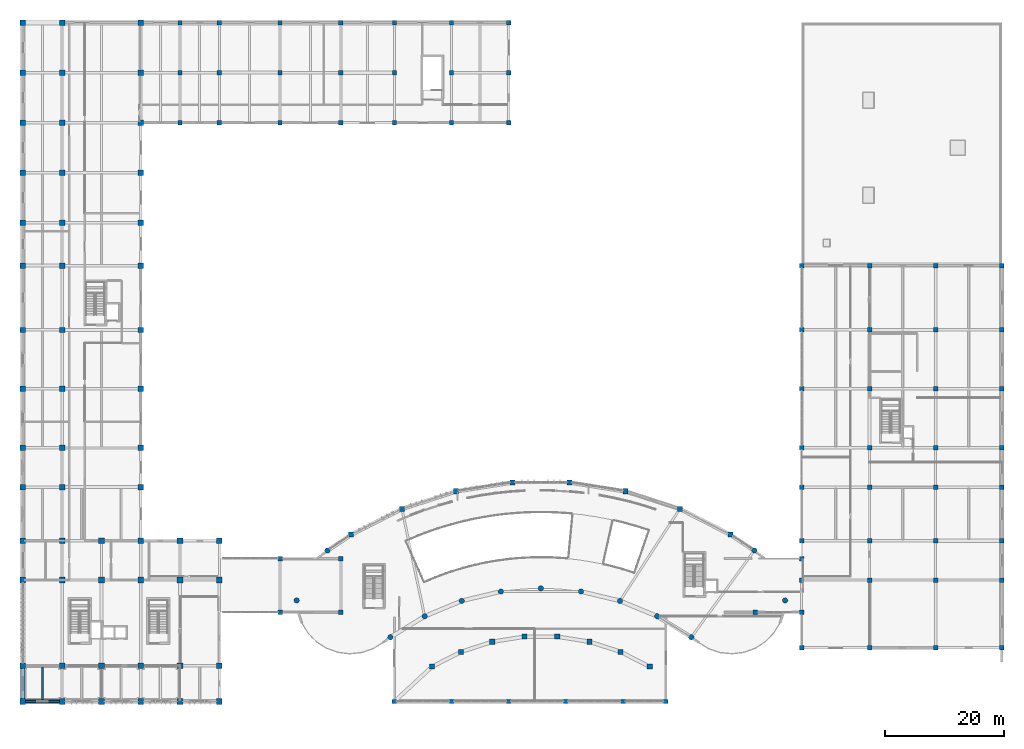
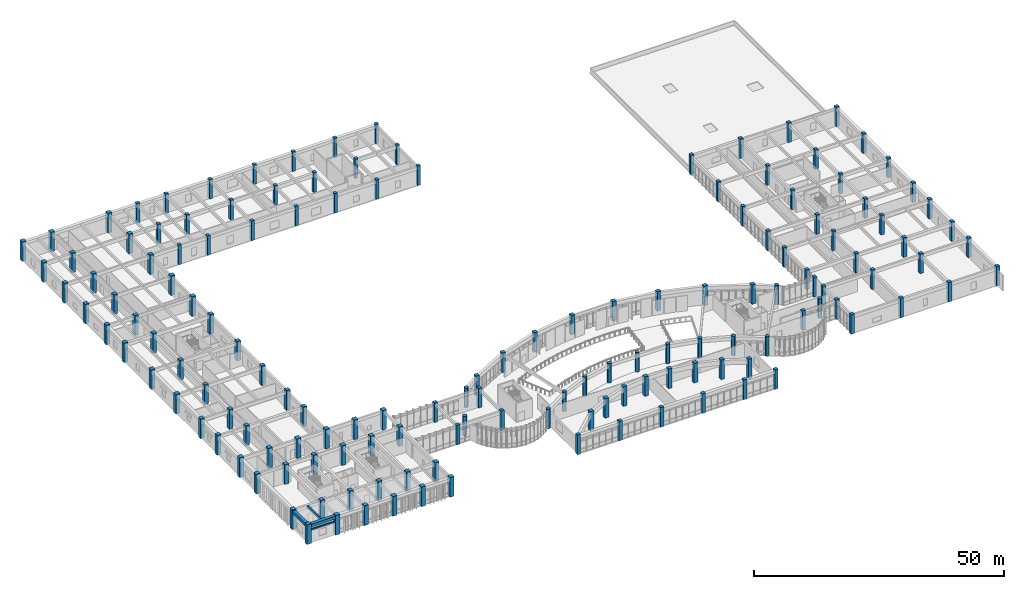
# One storey, part 1 of 68: 149 columns, 4 beams.
"""IFC4 building model written with IfcOpenShell, lengths in metres."""

import ifcopenshell
import ifcopenshell.guid

model = None  # the IFC model being written
_history = None  # IfcOwnerHistory: only IFC2X3 demands one
_inside = {}  # id of a spatial element -> (the spatial element, [elements in it])
_under = {}  # id of a project, library or spatial element -> (it, [spatial elements below it])
_declared = {}  # id of a project -> (the project, [libraries it declares])
_typed = {}  # id of a type object -> (the type object, [elements of that type])
_made_of = {}  # id of a material, layer set ... -> (it, [elements and type objects made of it])


def new_model(schema):
    """Start an empty IFC model of exactly this schema.

    Asked for "IFC4X3", IfcOpenShell would pick the latest addendum, in which some entities
    have other attributes; the version numbers below select the first issue.
    IFC2X3 requires an IfcOwnerHistory on every rooted entity: one is made here for all.
    """
    global model, _history
    if schema == "IFC4X3":
        model = ifcopenshell.file(schema_version=(4, 3, 0, 0))
    else:
        model = ifcopenshell.file(schema=schema)
    _inside.clear()
    _under.clear()
    _declared.clear()
    _typed.clear()
    _made_of.clear()
    _history = None
    if model.schema == "IFC2X3":
        org = make("IfcOrganization", Name="unknown")
        user = make(
            "IfcPersonAndOrganization",
            ThePerson=make("IfcPerson", FamilyName="unknown"),
            TheOrganization=org,
        )
        app = make(
            "IfcApplication",
            ApplicationDeveloper=org,
            Version="unknown",
            ApplicationFullName="unknown",
            ApplicationIdentifier="unknown",
        )
        _history = make(
            "IfcOwnerHistory",
            OwningUser=user,
            OwningApplication=app,
            ChangeAction="ADDED",
            CreationDate=0,
        )
    return model


def make(cls, **values):
    """One entity of the class cls with the attributes given. An attribute that is None is left unset."""
    return model.create_entity(
        cls, **{name: value for name, value in values.items() if value is not None}
    )


def rooted(cls, **values):
    """An entity with a GlobalId (a new one), such as an element, a storey or a relation."""
    return make(cls, GlobalId=ifcopenshell.guid.new(), OwnerHistory=_history, **values)


def si_unit(unit_type, name, prefix=None):
    """IfcSIUnit, for example si_unit("LENGTHUNIT", "METRE", prefix="MILLI")."""
    return make("IfcSIUnit", UnitType=unit_type, Prefix=prefix, Name=name)


def assignment(units):
    """IfcUnitAssignment: the units of a project."""
    return None if units is None else make("IfcUnitAssignment", Units=units)


def point(xyz):
    """IfcCartesianPoint."""
    return None if xyz is None else make("IfcCartesianPoint", Coordinates=xyz)


def direction(xyz):
    """IfcDirection."""
    return None if xyz is None else make("IfcDirection", DirectionRatios=xyz)


def frame(location, z_axis=None, x_axis=None):
    """IfcAxis2Placement3D, a coordinate frame: its origin and axes. An axis left out is left unset."""
    return make(
        "IfcAxis2Placement3D",
        Location=point(location),
        Axis=direction(z_axis),
        RefDirection=direction(x_axis),
    )


def frame_2d(location, x_axis=None):
    """IfcAxis2Placement2D, a coordinate frame in the plane: its origin and x axis."""
    return make(
        "IfcAxis2Placement2D", Location=point(location), RefDirection=direction(x_axis)
    )


def origin():
    """The frame at (0, 0, 0) with its axes left unset."""
    return frame((0.0, 0.0, 0.0))


def origin_2d():
    """The frame at (0, 0) in the plane with its x axis left unset."""
    return frame_2d((0.0, 0.0))


def place(relative_to, where):
    """IfcLocalPlacement: puts the frame where relative to a parent placement (None: the world)."""
    return make(
        "IfcLocalPlacement", PlacementRelTo=relative_to, RelativePlacement=where
    )


def context(
    kind, dimensions, precision=None, world=None, true_north=None, identifier=None
):
    """IfcGeometricRepresentationContext, for example the 3D "Model" context."""
    return make(
        "IfcGeometricRepresentationContext",
        ContextIdentifier=identifier,
        ContextType=kind,
        CoordinateSpaceDimension=dimensions,
        Precision=precision,
        WorldCoordinateSystem=world,
        TrueNorth=true_north,
    )


def subcontext(parent, identifier, kind, view, scale=None):
    """IfcGeometricRepresentationSubContext, for example "Body" below "Model"."""
    return make(
        "IfcGeometricRepresentationSubContext",
        ContextIdentifier=identifier,
        ContextType=kind,
        ParentContext=parent,
        TargetScale=scale,
        TargetView=view,
    )


def project(units=None, contexts=None):
    """IfcProject with its units and contexts."""
    return rooted(
        "IfcProject",
        Name="project",
        RepresentationContexts=contexts,
        UnitsInContext=assignment(units),
    )


def spatial(cls, under=None, at=None, **own):
    """A site, building, storey or space (cls), placed at a placement, below another one or the project."""
    s = rooted(cls, ObjectPlacement=at, **own)
    if under is not None:
        _under.setdefault(under.id(), (under, []))[1].append(s)
    return s


def profile(cls, at=None, kind="AREA", **sizes):
    """A parametric profile (cls). Its sizes go by their IFC names, for example OverallWidth=200.0."""
    return make(cls, ProfileType=kind, Position=at, **sizes)


def rectangle(**sizes):
    """IfcRectangleProfileDef."""
    return profile("IfcRectangleProfileDef", **sizes)


def circle(**sizes):
    """IfcCircleProfileDef."""
    return profile("IfcCircleProfileDef", **sizes)


def extrude(swept, where, along, depth):
    """IfcExtrudedAreaSolid: the profile swept, set in the frame where, extruded along a direction by depth."""
    return make(
        "IfcExtrudedAreaSolid",
        SweptArea=swept,
        Position=where,
        ExtrudedDirection=direction(along),
        Depth=depth,
    )


def shape(context_of_items, identifier, shape_type, items):
    """IfcShapeRepresentation: the items that make up one representation, for example the "Body"."""
    return make(
        "IfcShapeRepresentation",
        ContextOfItems=context_of_items,
        RepresentationIdentifier=identifier,
        RepresentationType=shape_type,
        Items=items,
    )


def material(Name=None, Category=None):
    """IfcMaterial."""
    return make("IfcMaterial", Name=Name, Category=Category)


def material_profile(
    of_material, cross_section, Name=None, Category=None, Priority=None
):
    """IfcMaterialProfile: a cross section and its material."""
    return make(
        "IfcMaterialProfile",
        Name=Name,
        Material=of_material,
        Profile=cross_section,
        Priority=Priority,
        Category=Category,
    )


def profile_set(profiles, Name=None, composite=None):
    """IfcMaterialProfileSet."""
    return make(
        "IfcMaterialProfileSet",
        Name=Name,
        MaterialProfiles=profiles,
        CompositeProfile=composite,
    )


def made_of(thing, what):
    """Note that an element or type object is made of a material, layer set ...; save() writes the relation."""
    if what is not None:
        _made_of.setdefault(what.id(), (what, []))[1].append(thing)
    return thing


def type_object(cls, material=None, **own):
    """A type object (cls), such as IfcWallType, which elements share."""
    return made_of(rooted(cls, **own), material)


def element(
    cls,
    number,
    at=None,
    inside=None,
    cuts=None,
    type_object=None,
    material=None,
    context=None,
    identifier="Body",
    shape_type=None,
    held_by="IfcProductDefinitionShape",
    body=None,
    shapes=None,
    **own,
):
    """One element of the class cls, such as IfcWall. Its Tag is "e" and its number.

    at: its placement. inside: the storey or other place that contains it. cuts: it is an
    opening in that element (IfcRelVoidsElement). A single representation is given by context,
    identifier, shape_type and body (its items); several are given by shapes. held_by: the class
    of the entity that holds the representations. save() writes the other relations.
    """
    e = rooted(cls, Tag="e%d" % number, ObjectPlacement=at, **own)
    if body is not None:
        shapes = [shape(context, identifier, shape_type, body)]
    if shapes is not None:
        e.Representation = make(held_by, Representations=shapes)
    if inside is not None:
        _inside.setdefault(inside.id(), (inside, []))[1].append(e)
    if cuts is not None:
        rooted(
            "IfcRelVoidsElement", RelatingBuildingElement=cuts, RelatedOpeningElement=e
        )
    if type_object is not None:
        _typed.setdefault(type_object.id(), (type_object, []))[1].append(e)
    return made_of(e, material)


def aggregate(whole, parts):
    """IfcRelAggregates: a whole, such as a stair, and the parts it consists of."""
    return rooted("IfcRelAggregates", RelatingObject=whole, RelatedObjects=parts)


def save(model, path):
    """Write the relations noted so far, then the file.

    IfcRelAggregates (storeys below a building ...), IfcRelContainedInSpatialStructure (elements
    in a storey), IfcRelDefinesByType, IfcRelAssociatesMaterial and IfcRelDeclares: one each for
    every whole, place, type object, material and project.
    """
    for whole, parts in _under.values():
        aggregate(whole, parts)
    for where, things in _inside.values():
        rooted(
            "IfcRelContainedInSpatialStructure",
            RelatedElements=things,
            RelatingStructure=where,
        )
    for kind, things in _typed.values():
        rooted("IfcRelDefinesByType", RelatedObjects=things, RelatingType=kind)
    for what, things in _made_of.values():
        rooted("IfcRelAssociatesMaterial", RelatedObjects=things, RelatingMaterial=what)
    for by, libraries in _declared.values():
        rooted("IfcRelDeclares", RelatingContext=by, RelatedDefinitions=libraries)
    model.write(path)


model = new_model("IFC4")

# Units and contexts
model_context = context("Model", 3, precision=1e-05, world=origin(), true_north=direction((0.0, 1.0)))
body_context = subcontext(model_context, "Body", "Model", "MODEL_VIEW")
ifc_project = project(units=[si_unit("LENGTHUNIT", "METRE"), si_unit("AREAUNIT", "SQUARE_METRE"), si_unit("VOLUMEUNIT", "CUBIC_METRE"), si_unit("PLANEANGLEUNIT", "RADIAN"), si_unit("MASSUNIT", "GRAM", prefix="KILO")], contexts=[model_context])

# Site, building, storey
site_placement = place(None, origin())
site = spatial("IfcSite", under=ifc_project, at=site_placement, CompositionType="ELEMENT")
building_placement = place(site_placement, origin())
building = spatial("IfcBuilding", under=site, at=building_placement, Name="Miralva Faculty of Natural Sciences", CompositionType="ELEMENT")
storey_placement = place(building_placement, frame((0.0, 0.0, 5.39990234375)))
storey = spatial("IfcBuildingStorey", under=building, at=storey_placement, Name="L01", CompositionType="ELEMENT", Elevation=5.39990234375)

# Columns
ifc_material_1 = material(Name="Concrete C50/60", Category="concrete")
ifc_material_profile_1 = material_profile(ifc_material_1, rectangle(XDim=0.949951171875, YDim=0.949951171875, at=origin_2d()), Name="RC 950x950")
ifc_profile_set_1 = profile_set([ifc_material_profile_1], Name="Concrete C50/60")
column_type_1 = type_object("IfcColumnType", Name="COL-C02", PredefinedType="COLUMN", material=ifc_profile_set_1)
for number, where, z_axis, x_axis, name in (
    (1, (3.0, 3.0, 0.0), (0.0, 0.0, 1.0), (1.0, 0.0, 0.0), "Column CS-V5-1A L01"),
    (2, (3.0, 9.0, 0.0), (0.0, 0.0, 1.0), (1.0, 0.0, 0.0), "Column CS-V5-1B L01"),
    (3, (3.0, 23.39990234375, 0.0), (0.0, 0.0, 1.0), (1.0, 0.0, 0.0), "Column CS-V5-1C L01"),
    (4, (3.0, 30.0, 0.0), (0.0, 0.0, 1.0), (1.0, 0.0, 0.0), "Column CS-V5-1D L01"),
    (5, (9.60009765625, 3.0, 0.0), (0.0, 0.0, 1.0), (1.0, 0.0, 0.0), "Column CS-V5-2A L01"),
    (6, (9.60009765625, 9.0, 0.0), (0.0, 0.0, 1.0), (1.0, 0.0, 0.0), "Column CS-V5-2B L01"),
    (7, (9.60009765625, 23.39990234375, 0.0), (0.0, 0.0, 1.0), (1.0, 0.0, 0.0), "Column CS-V5-2C L01"),
    (8, (9.60009765625, 30.0, 0.0), (0.0, 0.0, 1.0), (1.0, 0.0, 0.0), "Column CS-V5-2D L01"),
    (9, (16.199951171875, 3.0, 0.0), (0.0, 0.0, 1.0), (1.0, 0.0, 0.0), "Column CS-V5-3A L01"),
    (10, (16.199951171875, 9.0, 0.0), (0.0, 0.0, 1.0), (1.0, 0.0, 0.0), "Column CS-V5-3B L01"),
    (11, (16.199951171875, 23.39990234375, 0.0), (0.0, 0.0, 1.0), (1.0, 0.0, 0.0), "Column CS-V5-3C L01"),
    (12, (16.199951171875, 30.0, 0.0), (0.0, 0.0, 1.0), (1.0, 0.0, 0.0), "Column CS-V5-3D L01"),
    (13, (22.800048828125, 3.0, 0.0), (0.0, 0.0, 1.0), (1.0, 0.0, 0.0), "Column CS-V5-4A L01"),
    (14, (22.800048828125, 9.0, 0.0), (0.0, 0.0, 1.0), (1.0, 0.0, 0.0), "Column CS-V5-4B L01"),
    (15, (22.800048828125, 23.39990234375, 0.0), (0.0, 0.0, 1.0), (1.0, 0.0, 0.0), "Column CS-V5-4C L01"),
    (16, (22.800048828125, 30.0, 0.0), (0.0, 0.0, 1.0), (1.0, 0.0, 0.0), "Column CS-V5-4D L01"),
    (17, (29.39990234375, 3.0, 0.0), (0.0, 0.0, 1.0), (1.0, 0.0, 0.0), "Column CS-V5-5A L01"),
    (18, (29.39990234375, 9.0, 0.0), (0.0, 0.0, 1.0), (1.0, 0.0, 0.0), "Column CS-V5-5B L01"),
    (19, (29.39990234375, 23.39990234375, 0.0), (0.0, 0.0, 1.0), (1.0, 0.0, 0.0), "Column CS-V5-5C L01"),
    (20, (29.39990234375, 30.0, 0.0), (0.0, 0.0, 1.0), (1.0, 0.0, 0.0), "Column CS-V5-5D L01"),
    (21, (36.0, 3.0, 0.0), (0.0, 0.0, 1.0), (1.0, 0.0, 0.0), "Column CS-V5-6A L01"),
    (22, (36.0, 9.0, 0.0), (0.0, 0.0, 1.0), (1.0, 0.0, 0.0), "Column CS-V5-6B L01"),
    (23, (36.0, 23.39990234375, 0.0), (0.0, 0.0, 1.0), (1.0, 0.0, 0.0), "Column CS-V5-6C L01"),
    (24, (36.0, 30.0, 0.0), (0.0, 0.0, 1.0), (1.0, 0.0, 0.0), "Column CS-V5-6D L01"),
):
    element("IfcColumn", number, at=place(storey_placement, frame(where, z_axis=z_axis, x_axis=x_axis)), inside=storey, type_object=column_type_1, Name=name, PredefinedType="COLUMN", context=body_context, shape_type="SweptSolid", body=[
        extrude(rectangle(XDim=0.949951171875, YDim=0.949951171875, at=origin_2d()), origin(), (0.0, 0.0, 1.0), 4.800048828125),
    ])
ifc_material_profile_2 = material_profile(ifc_material_1, rectangle(XDim=0.89990234375, YDim=0.89990234375, at=origin_2d()), Name="RC 900x900")
ifc_profile_set_2 = profile_set([ifc_material_profile_2], Name="Concrete C50/60")
column_type_2 = type_object("IfcColumnType", Name="COL-C03", PredefinedType="COLUMN", material=ifc_profile_set_2)
for number, where, z_axis, x_axis, name in (
    (25, (3.0, 39.0, 0.0), (0.0, 0.0, 1.0), (1.0, 0.0, 0.0), "Column CS-V4W-1E L01"),
    (26, (3.0, 45.60009765625, 0.0), (0.0, 0.0, 1.0), (1.0, 0.0, 0.0), "Column CS-V4W-1F L01"),
    (27, (3.0, 55.5, 0.0), (0.0, 0.0, 1.0), (1.0, 0.0, 0.0), "Column CS-V4W-1G L01"),
    (28, (3.0, 65.39990234375, 0.0), (0.0, 0.0, 1.0), (1.0, 0.0, 0.0), "Column CS-V4W-1H L01"),
    (29, (3.0, 76.199951171875, 0.0), (0.0, 0.0, 1.0), (1.0, 0.0, 0.0), "Column CS-V4W-1I L01"),
    (30, (3.0, 83.39990234375, 0.0), (0.0, 0.0, 1.0), (1.0, 0.0, 0.0), "Column CS-V4W-1J L01"),
    (31, (3.0, 91.800048828125, 0.0), (0.0, 0.0, 1.0), (1.0, 0.0, 0.0), "Column CS-V4W-1K L01"),
    (32, (3.0, 100.199951171875, 0.0), (0.0, 0.0, 1.0), (1.0, 0.0, 0.0), "Column CS-V4W-1L L01"),
    (33, (3.0, 108.60009765625, 0.0), (0.0, 0.0, 1.0), (1.0, 0.0, 0.0), "Column CS-V4W-1M L01"),
    (34, (3.0, 117.0, 0.0), (0.0, 0.0, 1.0), (1.0, 0.0, 0.0), "Column CS-V4W-1N L01"),
    (35, (9.60009765625, 39.0, 0.0), (0.0, 0.0, 1.0), (1.0, 0.0, 0.0), "Column CS-V4W-2E L01"),
    (36, (9.60009765625, 45.60009765625, 0.0), (0.0, 0.0, 1.0), (1.0, 0.0, 0.0), "Column CS-V4W-2F L01"),
    (37, (9.60009765625, 55.5, 0.0), (0.0, 0.0, 1.0), (1.0, 0.0, 0.0), "Column CS-V4W-2G L01"),
    (38, (9.60009765625, 65.39990234375, 0.0), (0.0, 0.0, 1.0), (1.0, 0.0, 0.0), "Column CS-V4W-2H L01"),
    (39, (9.60009765625, 76.199951171875, 0.0), (0.0, 0.0, 1.0), (1.0, 0.0, 0.0), "Column CS-V4W-2I L01"),
    (40, (9.60009765625, 83.39990234375, 0.0), (0.0, 0.0, 1.0), (1.0, 0.0, 0.0), "Column CS-V4W-2J L01"),
    (41, (9.60009765625, 91.800048828125, 0.0), (0.0, 0.0, 1.0), (1.0, 0.0, 0.0), "Column CS-V4W-2K L01"),
    (42, (9.60009765625, 100.199951171875, 0.0), (0.0, 0.0, 1.0), (1.0, 0.0, 0.0), "Column CS-V4W-2L L01"),
    (43, (9.60009765625, 108.60009765625, 0.0), (0.0, 0.0, 1.0), (1.0, 0.0, 0.0), "Column CS-V4W-2M L01"),
    (44, (9.60009765625, 117.0, 0.0), (0.0, 0.0, 1.0), (1.0, 0.0, 0.0), "Column CS-V4W-2N L01"),
    (45, (22.800048828125, 39.0, 0.0), (0.0, 0.0, 1.0), (1.0, 0.0, 0.0), "Column CS-V4W-4E L01"),
    (46, (22.800048828125, 45.60009765625, 0.0), (0.0, 0.0, 1.0), (1.0, 0.0, 0.0), "Column CS-V4W-4F L01"),
    (47, (22.800048828125, 55.5, 0.0), (0.0, 0.0, 1.0), (1.0, 0.0, 0.0), "Column CS-V4W-4G L01"),
    (48, (22.800048828125, 65.39990234375, 0.0), (0.0, 0.0, 1.0), (1.0, 0.0, 0.0), "Column CS-V4W-4H L01"),
    (49, (22.800048828125, 76.199951171875, 0.0), (0.0, 0.0, 1.0), (1.0, 0.0, 0.0), "Column CS-V4W-4I L01"),
    (50, (22.800048828125, 83.39990234375, 0.0), (0.0, 0.0, 1.0), (1.0, 0.0, 0.0), "Column CS-V4W-4J L01"),
    (51, (22.800048828125, 91.800048828125, 0.0), (0.0, 0.0, 1.0), (1.0, 0.0, 0.0), "Column CS-V4W-4K L01"),
    (52, (22.800048828125, 100.199951171875, 0.0), (0.0, 0.0, 1.0), (1.0, 0.0, 0.0), "Column CS-V4W-4L L01"),
    (53, (22.800048828125, 108.60009765625, 0.0), (0.0, 0.0, 1.0), (1.0, 0.0, 0.0), "Column CS-V4W-4M L01"),
    (54, (22.800048828125, 117.0, 0.0), (0.0, 0.0, 1.0), (1.0, 0.0, 0.0), "Column CS-V4W-4N L01"),
):
    element("IfcColumn", number, at=place(storey_placement, frame(where, z_axis=z_axis, x_axis=x_axis)), inside=storey, type_object=column_type_2, Name=name, PredefinedType="COLUMN", context=body_context, shape_type="SweptSolid", body=[
        extrude(rectangle(XDim=0.89990234375, YDim=0.89990234375, at=origin_2d()), origin(), (0.0, 0.0, 1.0), 4.800048828125),
    ])
ifc_material_profile_3 = material_profile(ifc_material_1, rectangle(XDim=0.85009765625, YDim=0.85009765625, at=origin_2d()), Name="RC 850x850")
ifc_profile_set_3 = profile_set([ifc_material_profile_3], Name="Concrete C50/60")
column_type_3 = type_object("IfcColumnType", Name="COL-C04", PredefinedType="COLUMN", material=ifc_profile_set_3)
for number, where, z_axis, x_axis, name in (
    (55, (71.712646484375, 8.84228515625, 0.0), (0.0, 0.0, 1.0), (1.0, 0.0, 0.0), "Column CS-SH-IN01 L01"),
    (56, (58.127685546875, 31.010986328125, 0.0), (0.0, 0.0, 1.0), (1.0, 0.0, 0.0), "Column CS-SH-OUT01 L01"),
    (57, (76.606201171875, 11.335693359375, 0.0), (0.0, 0.0, 1.0), (1.0, 0.0, 0.0), "Column CS-SH-IN02 L01"),
    (58, (66.65625, 35.356689453125, 0.0), (0.0, 0.0, 1.0), (1.0, 0.0, 0.0), "Column CS-SH-OUT02 L01"),
    (59, (81.829345703125, 13.032958984375, 0.0), (0.0, 0.0, 1.0), (1.0, 0.0, 0.0), "Column CS-SH-IN03 L01"),
    (60, (75.759765625, 38.314697265625, 0.0), (0.0, 0.0, 1.0), (1.0, 0.0, 0.0), "Column CS-SH-OUT03 L01"),
    (61, (87.25390625, 13.89208984375, 0.0), (0.0, 0.0, 1.0), (1.0, 0.0, 0.0), "Column CS-SH-IN04 L01"),
    (62, (85.214111328125, 39.81201171875, 0.0), (0.0, 0.0, 1.0), (1.0, 0.0, 0.0), "Column CS-SH-OUT04 L01"),
    (63, (92.74609375, 13.89208984375, 0.0), (0.0, 0.0, 1.0), (1.0, 0.0, 0.0), "Column CS-SH-IN05 L01"),
    (64, (94.785888671875, 39.81201171875, 0.0), (0.0, 0.0, 1.0), (1.0, 0.0, 0.0), "Column CS-SH-OUT05 L01"),
    (65, (98.170654296875, 13.032958984375, 0.0), (0.0, 0.0, 1.0), (1.0, 0.0, 0.0), "Column CS-SH-IN06 L01"),
    (66, (104.240234375, 38.314697265625, 0.0), (0.0, 0.0, 1.0), (1.0, 0.0, 0.0), "Column CS-SH-OUT06 L01"),
    (67, (103.393798828125, 11.335693359375, 0.0), (0.0, 0.0, 1.0), (1.0, 0.0, 0.0), "Column CS-SH-IN07 L01"),
    (68, (113.34375, 35.356689453125, 0.0), (0.0, 0.0, 1.0), (1.0, 0.0, 0.0), "Column CS-SH-OUT07 L01"),
    (69, (108.287353515625, 8.84228515625, 0.0), (0.0, 0.0, 1.0), (1.0, 0.0, 0.0), "Column CS-SH-IN08 L01"),
    (70, (121.872314453125, 31.010986328125, 0.0), (0.0, 0.0, 1.0), (1.0, 0.0, 0.0), "Column CS-SH-OUT08 L01"),
):
    element("IfcColumn", number, at=place(storey_placement, frame(where, z_axis=z_axis, x_axis=x_axis)), inside=storey, type_object=column_type_3, Name=name, PredefinedType="COLUMN", context=body_context, shape_type="SweptSolid", body=[
        extrude(rectangle(XDim=0.85009765625, YDim=0.85009765625, at=origin_2d()), origin(), (0.0, 0.0, 1.0), 4.800048828125),
    ])
ifc_material_2 = material(Name="Concrete C40/50", Category="concrete")
ifc_material_profile_4 = material_profile(ifc_material_2, rectangle(XDim=0.75, YDim=0.75, at=origin_2d()), Name="RC 750x750")
ifc_profile_set_4 = profile_set([ifc_material_profile_4], Name="Concrete C40/50")
column_type_4 = type_object("IfcColumnType", Name="COL-C06", PredefinedType="COLUMN", material=ifc_profile_set_4)
for number, where, z_axis, x_axis, name in (
    (71, (133.800048828125, 18.0, 0.0), (0.0, 0.0, 1.0), (1.0, 0.0, 0.0), "Column CS-LNK-EL2S L01"),
    (72, (133.800048828125, 27.0, 0.0), (0.0, 0.0, 1.0), (1.0, 0.0, 0.0), "Column CS-LNK-EL2N L01"),
    (73, (133.800048828125, 12.0, 0.0), (0.0, 0.0, 1.0), (1.0, 0.0, 0.0), "Column CS-V2C-16B12 L01"),
    (74, (133.800048828125, 23.39990234375, 0.0), (0.0, 0.0, 1.0), (1.0, 0.0, 0.0), "Column CS-V2C-16C L01"),
    (75, (133.800048828125, 30.0, 0.0), (0.0, 0.0, 1.0), (1.0, 0.0, 0.0), "Column CS-V2C-16D L01"),
    (76, (133.800048828125, 39.0, 0.0), (0.0, 0.0, 1.0), (1.0, 0.0, 0.0), "Column CS-V2C-16E L01"),
    (77, (133.800048828125, 45.60009765625, 0.0), (0.0, 0.0, 1.0), (1.0, 0.0, 0.0), "Column CS-V2C-16F L01"),
    (78, (133.800048828125, 55.5, 0.0), (0.0, 0.0, 1.0), (1.0, 0.0, 0.0), "Column CS-V2C-16G L01"),
    (79, (133.800048828125, 65.39990234375, 0.0), (0.0, 0.0, 1.0), (1.0, 0.0, 0.0), "Column CS-V2C-16H L01"),
    (80, (133.800048828125, 76.199951171875, 0.0), (0.0, 0.0, 1.0), (1.0, 0.0, 0.0), "Column CS-V2C-16I L01"),
    (81, (145.199951171875, 12.0, 0.0), (0.0, 0.0, 1.0), (1.0, 0.0, 0.0), "Column CS-V2C-17B12 L01"),
    (82, (145.199951171875, 23.39990234375, 0.0), (0.0, 0.0, 1.0), (1.0, 0.0, 0.0), "Column CS-V2C-17C L01"),
    (83, (145.199951171875, 30.0, 0.0), (0.0, 0.0, 1.0), (1.0, 0.0, 0.0), "Column CS-V2C-17D L01"),
    (84, (145.199951171875, 39.0, 0.0), (0.0, 0.0, 1.0), (1.0, 0.0, 0.0), "Column CS-V2C-17E L01"),
    (85, (145.199951171875, 45.60009765625, 0.0), (0.0, 0.0, 1.0), (1.0, 0.0, 0.0), "Column CS-V2C-17F L01"),
    (86, (145.199951171875, 55.5, 0.0), (0.0, 0.0, 1.0), (1.0, 0.0, 0.0), "Column CS-V2C-17G L01"),
    (87, (145.199951171875, 65.39990234375, 0.0), (0.0, 0.0, 1.0), (1.0, 0.0, 0.0), "Column CS-V2C-17H L01"),
    (88, (145.199951171875, 76.199951171875, 0.0), (0.0, 0.0, 1.0), (1.0, 0.0, 0.0), "Column CS-V2C-17I L01"),
    (89, (156.300048828125, 12.0, 0.0), (0.0, 0.0, 1.0), (1.0, 0.0, 0.0), "Column CS-V2C-18B12 L01"),
    (90, (156.300048828125, 23.39990234375, 0.0), (0.0, 0.0, 1.0), (1.0, 0.0, 0.0), "Column CS-V2C-18C L01"),
    (91, (156.300048828125, 30.0, 0.0), (0.0, 0.0, 1.0), (1.0, 0.0, 0.0), "Column CS-V2C-18D L01"),
    (92, (156.300048828125, 39.0, 0.0), (0.0, 0.0, 1.0), (1.0, 0.0, 0.0), "Column CS-V2C-18E L01"),
    (93, (156.300048828125, 45.60009765625, 0.0), (0.0, 0.0, 1.0), (1.0, 0.0, 0.0), "Column CS-V2C-18F L01"),
    (94, (156.300048828125, 55.5, 0.0), (0.0, 0.0, 1.0), (1.0, 0.0, 0.0), "Column CS-V2C-18G L01"),
    (95, (156.300048828125, 65.39990234375, 0.0), (0.0, 0.0, 1.0), (1.0, 0.0, 0.0), "Column CS-V2C-18H L01"),
    (96, (156.300048828125, 76.199951171875, 0.0), (0.0, 0.0, 1.0), (1.0, 0.0, 0.0), "Column CS-V2C-18I L01"),
    (97, (167.39990234375, 12.0, 0.0), (0.0, 0.0, 1.0), (1.0, 0.0, 0.0), "Column CS-V2C-19B12 L01"),
    (98, (167.39990234375, 23.39990234375, 0.0), (0.0, 0.0, 1.0), (1.0, 0.0, 0.0), "Column CS-V2C-19C L01"),
    (99, (167.39990234375, 30.0, 0.0), (0.0, 0.0, 1.0), (1.0, 0.0, 0.0), "Column CS-V2C-19D L01"),
    (100, (167.39990234375, 39.0, 0.0), (0.0, 0.0, 1.0), (1.0, 0.0, 0.0), "Column CS-V2C-19E L01"),
    (101, (167.39990234375, 45.60009765625, 0.0), (0.0, 0.0, 1.0), (1.0, 0.0, 0.0), "Column CS-V2C-19F L01"),
    (102, (167.39990234375, 55.5, 0.0), (0.0, 0.0, 1.0), (1.0, 0.0, 0.0), "Column CS-V2C-19G L01"),
    (103, (167.39990234375, 65.39990234375, 0.0), (0.0, 0.0, 1.0), (1.0, 0.0, 0.0), "Column CS-V2C-19H L01"),
    (104, (167.39990234375, 76.199951171875, 0.0), (0.0, 0.0, 1.0), (1.0, 0.0, 0.0), "Column CS-V2C-19I L01"),
    (105, (65.39990234375, 3.0, 0.0), (0.0, 0.0, 1.0), (1.0, 0.0, 0.0), "Column CS-V1-S9 L01"),
    (106, (75.0, 3.0, 0.0), (0.0, 0.0, 1.0), (1.0, 0.0, 0.0), "Column CS-V1-S10 L01"),
    (107, (84.60009765625, 3.0, 0.0), (0.0, 0.0, 1.0), (1.0, 0.0, 0.0), "Column CS-V1-S11 L01"),
    (108, (94.199951171875, 3.0, 0.0), (0.0, 0.0, 1.0), (1.0, 0.0, 0.0), "Column CS-V1-S12 L01"),
    (109, (103.800048828125, 3.0, 0.0), (0.0, 0.0, 1.0), (1.0, 0.0, 0.0), "Column CS-V1-S13 L01"),
    (110, (111.0, 3.0, 0.0), (0.0, 0.0, 1.0), (1.0, 0.0, 0.0), "Column CS-V1-S14 L01"),
    (111, (46.199951171875, 18.0, 0.0), (0.0, 0.0, 1.0), (1.0, 0.0, 0.0), "Column CS-LNK-WL1S L01"),
    (112, (46.199951171875, 27.0, 0.0), (0.0, 0.0, 1.0), (1.0, 0.0, 0.0), "Column CS-LNK-WL1N L01"),
    (113, (56.39990234375, 18.0, 0.0), (0.0, 0.0, 1.0), (1.0, 0.0, 0.0), "Column CS-LNK-WL2S L01"),
    (114, (56.39990234375, 27.0, 0.0), (0.0, 0.0, 1.0), (1.0, 0.0, 0.0), "Column CS-LNK-WL2N L01"),
    (115, (126.0, 18.0, 0.0), (0.0, 0.0, 1.0), (1.0, 0.0, 0.0), "Column CS-LNK-EL1S L01"),
):
    element("IfcColumn", number, at=place(storey_placement, frame(where, z_axis=z_axis, x_axis=x_axis)), inside=storey, type_object=column_type_4, Name=name, PredefinedType="COLUMN", context=body_context, shape_type="SweptSolid", body=[
        extrude(rectangle(XDim=0.75, YDim=0.75, at=origin_2d()), origin(), (0.0, 0.0, 1.0), 4.800048828125),
    ])
ifc_material_profile_5 = material_profile(ifc_material_2, rectangle(XDim=0.699951171875, YDim=0.699951171875, at=origin_2d()), Name="RC 700x700")
ifc_profile_set_5 = profile_set([ifc_material_profile_5], Name="Concrete C40/50")
column_type_5 = type_object("IfcColumnType", Name="COL-C07", PredefinedType="COLUMN", material=ifc_profile_set_5)
for number, where, z_axis, x_axis, name in (
    (116, (29.39990234375, 100.199951171875, 0.0), (0.0, 0.0, 1.0), (1.0, 0.0, 0.0), "Column CS-V4N-5L L01"),
    (117, (29.39990234375, 108.60009765625, 0.0), (0.0, 0.0, 1.0), (1.0, 0.0, 0.0), "Column CS-V4N-5M L01"),
    (118, (29.39990234375, 117.0, 0.0), (0.0, 0.0, 1.0), (1.0, 0.0, 0.0), "Column CS-V4N-5N L01"),
    (119, (36.0, 100.199951171875, 0.0), (0.0, 0.0, 1.0), (1.0, 0.0, 0.0), "Column CS-V4N-6L L01"),
    (120, (36.0, 108.60009765625, 0.0), (0.0, 0.0, 1.0), (1.0, 0.0, 0.0), "Column CS-V4N-6M L01"),
    (121, (36.0, 117.0, 0.0), (0.0, 0.0, 1.0), (1.0, 0.0, 0.0), "Column CS-V4N-6N L01"),
    (122, (46.199951171875, 100.199951171875, 0.0), (0.0, 0.0, 1.0), (1.0, 0.0, 0.0), "Column CS-V4N-7L L01"),
    (123, (46.199951171875, 108.60009765625, 0.0), (0.0, 0.0, 1.0), (1.0, 0.0, 0.0), "Column CS-V4N-7M L01"),
    (124, (46.199951171875, 117.0, 0.0), (0.0, 0.0, 1.0), (1.0, 0.0, 0.0), "Column CS-V4N-7N L01"),
    (125, (56.39990234375, 100.199951171875, 0.0), (0.0, 0.0, 1.0), (1.0, 0.0, 0.0), "Column CS-V4N-8L L01"),
    (126, (56.39990234375, 108.60009765625, 0.0), (0.0, 0.0, 1.0), (1.0, 0.0, 0.0), "Column CS-V4N-8M L01"),
    (127, (56.39990234375, 117.0, 0.0), (0.0, 0.0, 1.0), (1.0, 0.0, 0.0), "Column CS-V4N-8N L01"),
    (128, (65.39990234375, 100.199951171875, 0.0), (0.0, 0.0, 1.0), (1.0, 0.0, 0.0), "Column CS-V4N-9L L01"),
    (129, (65.39990234375, 108.60009765625, 0.0), (0.0, 0.0, 1.0), (1.0, 0.0, 0.0), "Column CS-V4N-9M L01"),
    (130, (65.39990234375, 117.0, 0.0), (0.0, 0.0, 1.0), (1.0, 0.0, 0.0), "Column CS-V4N-9N L01"),
    (131, (75.0, 100.199951171875, 0.0), (0.0, 0.0, 1.0), (1.0, 0.0, 0.0), "Column CS-V4N-10L L01"),
    (132, (75.0, 108.60009765625, 0.0), (0.0, 0.0, 1.0), (1.0, 0.0, 0.0), "Column CS-V4N-10M L01"),
    (133, (75.0, 117.0, 0.0), (0.0, 0.0, 1.0), (1.0, 0.0, 0.0), "Column CS-V4N-10N L01"),
    (134, (84.60009765625, 100.199951171875, 0.0), (0.0, 0.0, 1.0), (1.0, 0.0, 0.0), "Column CS-V4N-11L L01"),
    (135, (84.60009765625, 108.60009765625, 0.0), (0.0, 0.0, 1.0), (1.0, 0.0, 0.0), "Column CS-V4N-11M L01"),
    (136, (84.60009765625, 117.0, 0.0), (0.0, 0.0, 1.0), (1.0, 0.0, 0.0), "Column CS-V4N-11N L01"),
):
    element("IfcColumn", number, at=place(storey_placement, frame(where, z_axis=z_axis, x_axis=x_axis)), inside=storey, type_object=column_type_5, Name=name, PredefinedType="COLUMN", context=body_context, shape_type="SweptSolid", body=[
        extrude(rectangle(XDim=0.699951171875, YDim=0.699951171875, at=origin_2d()), origin(), (0.0, 0.0, 1.0), 4.800048828125),
    ])
ifc_material_profile_6 = material_profile(ifc_material_1, circle(Radius=0.449951171875, at=origin_2d()), Name="RC DIA 900")
ifc_profile_set_6 = profile_set([ifc_material_profile_6], Name="Concrete C50/60")
column_type_6 = type_object("IfcColumnType", Name="COL-C13", PredefinedType="COLUMN", material=ifc_profile_set_6)
for number, where, z_axis, x_axis, name in (
    (137, (64.72509765625, 13.78759765625, 0.0), (0.0, 0.0, 1.0), (1.0, 0.0, 0.0), "Column CS-ARC-IN01 L01"),
    (138, (54.14501953125, 28.35009765625, 0.0), (0.0, 0.0, 1.0), (1.0, 0.0, 0.0), "Column CS-ARC-OUT01 L01"),
    (139, (70.478515625, 17.313232421875, 0.0), (0.0, 0.0, 1.0), (1.0, 0.0, 0.0), "Column CS-ARC-IN02 L01"),
    (140, (76.71240234375, 19.8955078125, 0.0), (0.0, 0.0, 1.0), (1.0, 0.0, 0.0), "Column CS-ARC-IN03 L01"),
    (141, (83.273193359375, 21.470703125, 0.0), (0.0, 0.0, 1.0), (1.0, 0.0, 0.0), "Column CS-ARC-IN04 L01"),
    (142, (90.0, 22.0, 0.0), (0.0, 0.0, 1.0), (1.0, 0.0, 0.0), "Column CS-ARC-IN05 L01"),
    (143, (96.726806640625, 21.470703125, 0.0), (0.0, 0.0, 1.0), (1.0, 0.0, 0.0), "Column CS-ARC-IN06 L01"),
    (144, (103.28759765625, 19.8955078125, 0.0), (0.0, 0.0, 1.0), (1.0, 0.0, 0.0), "Column CS-ARC-IN07 L01"),
    (145, (109.521484375, 17.313232421875, 0.0), (0.0, 0.0, 1.0), (1.0, 0.0, 0.0), "Column CS-ARC-IN08 L01"),
    (146, (115.27490234375, 13.78759765625, 0.0), (0.0, 0.0, 1.0), (1.0, 0.0, 0.0), "Column CS-ARC-IN09 L01"),
    (147, (125.85498046875, 28.35009765625, 0.0), (0.0, 0.0, 1.0), (1.0, 0.0, 0.0), "Column CS-ARC-OUT09 L01"),
    (148, (48.985595703125, 19.9765625, 0.0), (0.0, 0.0, 1.0), (1.0, 0.0, 0.0), "Column CS-RND-W01 L01"),
    (149, (131.014404296875, 19.9765625, 0.0), (0.0, 0.0, 1.0), (1.0, 0.0, 0.0), "Column CS-RND-E01 L01"),
):
    element("IfcColumn", number, at=place(storey_placement, frame(where, z_axis=z_axis, x_axis=x_axis)), inside=storey, type_object=column_type_6, Name=name, PredefinedType="COLUMN", context=body_context, shape_type="SweptSolid", body=[
        extrude(circle(Radius=0.449951171875, at=origin_2d()), origin(), (0.0, 0.0, 1.0), 4.800048828125),
    ])

# Beams
ifc_material_profile_7 = material_profile(ifc_material_2, rectangle(XDim=0.300048828125, YDim=0.60009765625, at=origin_2d()), Name="RC 300x600")
ifc_profile_set_7 = profile_set([ifc_material_profile_7], Name="Concrete C40/50")
beam_type_1 = type_object("IfcBeamType", Name="BM-J01", PredefinedType="JOIST", material=ifc_profile_set_7)
beam_1_placement = place(storey_placement, frame((6.300048828125, 3.375, 4.280029296875), z_axis=(0.0, 1.0, 0.0), x_axis=(-1.0, 0.0, 0.0)))
element("IfcBeam", 150, at=beam_1_placement, inside=storey, type_object=beam_type_1, Name="Floor joist L01-1", PredefinedType="JOIST", context=body_context, shape_type="SweptSolid", body=[
    extrude(rectangle(XDim=0.300048828125, YDim=0.60009765625, at=origin_2d()), origin(), (0.0, 0.0, 1.0), 5.405029296875),
])
ifc_material_3 = material(Name="Precast concrete C40/50", Category="concrete")
ifc_material_profile_8 = material_profile(ifc_material_3, rectangle(XDim=0.25, YDim=0.35009765625, at=origin_2d()), Name="RC 250x350")
ifc_profile_set_8 = profile_set([ifc_material_profile_8], Name="Precast concrete C40/50")
beam_type_2 = type_object("IfcBeamType", Name="BM-LN01", PredefinedType="LINTEL", material=ifc_profile_set_8)
beam_2_placement = place(storey_placement, frame((3.451171875, 3.0, 3.050048828125), z_axis=(1.0, 0.0, 0.0), x_axis=(0.0, 1.0, 0.0)))
element("IfcBeam", 151, at=beam_2_placement, inside=storey, type_object=beam_type_2, Name="Precast stone window lintel S L01", PredefinedType="LINTEL", context=body_context, shape_type="SweptSolid", body=[
    extrude(rectangle(XDim=0.25, YDim=0.35009765625, at=origin_2d()), origin(), (0.0, 0.0, 1.0), 5.697509765625),
])
ifc_material_profile_9 = material_profile(ifc_material_2, rectangle(XDim=0.75, YDim=0.699951171875, at=origin_2d()), Name="RC 750x700")
ifc_profile_set_9 = profile_set([ifc_material_profile_9], Name="Concrete C40/50")
beam_type_3 = type_object("IfcBeamType", Name="BM-SP01", PredefinedType="SPANDREL", material=ifc_profile_set_9)
beam_3_placement = place(storey_placement, frame((3.47509765625, 3.0, 4.22998046875), z_axis=(1.0, 0.0, 0.0), x_axis=(0.0, 1.0, 0.0)))
element("IfcBeam", 152, at=beam_3_placement, inside=storey, type_object=beam_type_3, Name="Girder EW L01-1", PredefinedType="SPANDREL", context=body_context, shape_type="SweptSolid", body=[
    extrude(rectangle(XDim=0.75, YDim=0.699951171875, at=origin_2d()), origin(), (0.0, 0.0, 1.0), 5.64990234375),
])
beam_4_placement = place(storey_placement, frame((3.0, 3.47509765625, 4.22998046875), z_axis=(0.0, 1.0, 0.0), x_axis=(-1.0, 0.0, 0.0)))
element("IfcBeam", 153, at=beam_4_placement, inside=storey, type_object=beam_type_3, Name="Girder NS L01-96", PredefinedType="SPANDREL", context=body_context, shape_type="SweptSolid", body=[
    extrude(rectangle(XDim=0.75, YDim=0.699951171875, at=origin_2d()), origin(), (0.0, 0.0, 1.0), 5.0498046875),
])

save(model, "model.ifc")
